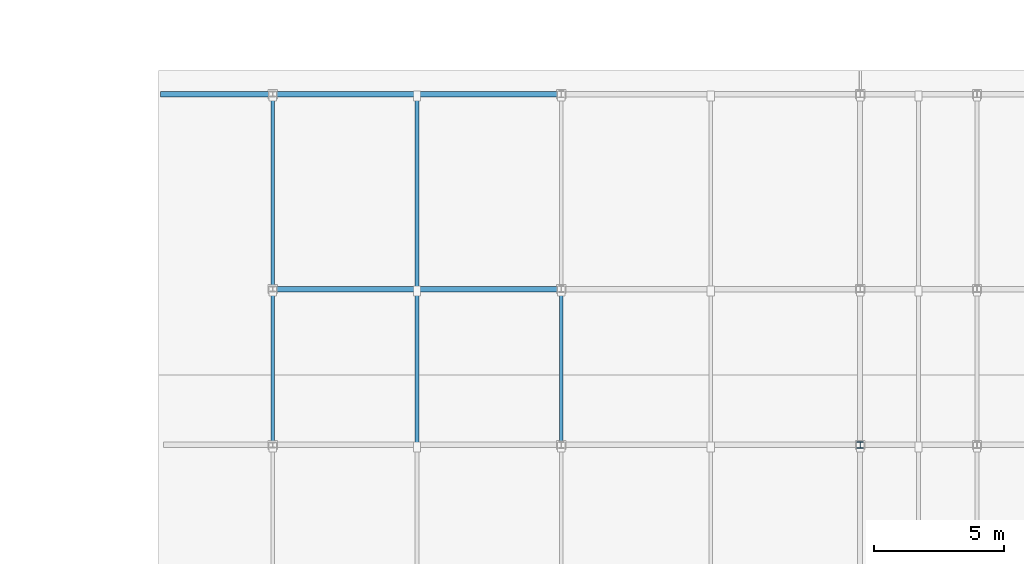
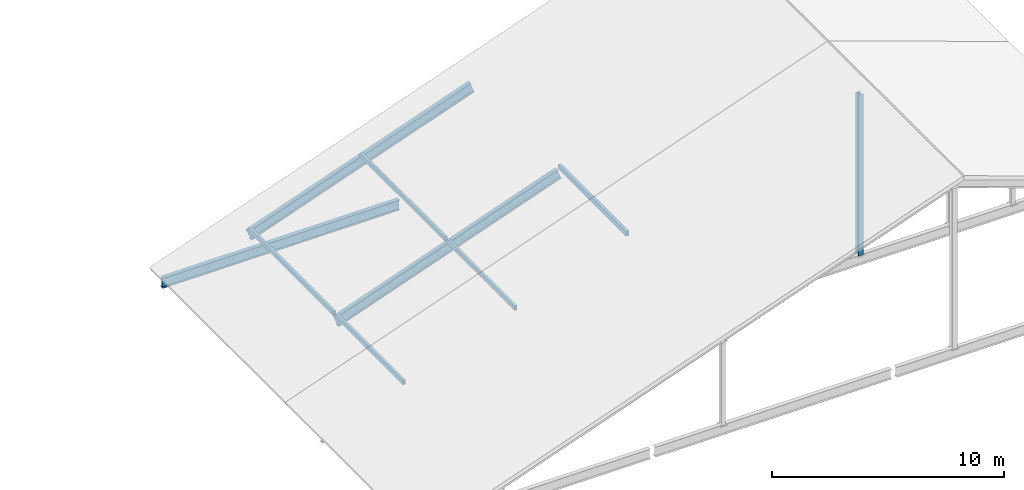
# One storey, part 30 of 42: 6 members, 3 beams.
"""IFC4 building model written with IfcOpenShell, lengths in metres."""

from ifc_helpers import new_model, si_unit, direction, frame, origin, origin_2d, place, context, subcontext, project, spatial, hollow_rectangle, i_section, extrude, material, material_profile, profile_set, type_object, element, save


model = new_model("IFC4")

# Units and contexts
model_context = context("Model", 3, precision=1e-05, world=origin(), true_north=direction((0.0, 1.0)))
body_context = subcontext(model_context, "Body", "Model", "MODEL_VIEW")
ifc_project = project(units=[si_unit("LENGTHUNIT", "METRE"), si_unit("AREAUNIT", "SQUARE_METRE"), si_unit("VOLUMEUNIT", "CUBIC_METRE"), si_unit("PLANEANGLEUNIT", "RADIAN"), si_unit("MASSUNIT", "GRAM", prefix="KILO")], contexts=[model_context])

# Site, building, storey
site_placement = place(None, origin())
site = spatial("IfcSite", under=ifc_project, at=site_placement, CompositionType="ELEMENT")
building_placement = place(site_placement, origin())
building = spatial("IfcBuilding", under=site, at=building_placement, Name="Kelmvaro Bay Concert Hall", CompositionType="ELEMENT")
storey_placement = place(building_placement, frame((0.0, 0.0, 26.699951171875)))
storey = spatial("IfcBuildingStorey", under=building, at=storey_placement, Name="RF", CompositionType="ELEMENT", Elevation=26.699951171875)

# Members
ifc_material_1 = material(Name="Steel ASTM A992 Grade 50", Category="steel")
ifc_material_profile_1 = material_profile(ifc_material_1, i_section(OverallWidth=0.25390625, OverallDepth=0.25390625, WebThickness=0.008544921875, FlangeThickness=0.01416015625, at=origin_2d()), Name="W10X49")
ifc_profile_set_1 = profile_set([ifc_material_profile_1], Name="Steel ASTM A992 Grade 50")
member_type_1 = type_object("IfcMemberType", Name="Crystal Crown King Post W10x49", PredefinedType="STRUT", material=ifc_profile_set_1)
member_1_placement = place(storey_placement, frame((159.0, 82.800048828125, -8.4150390625), z_axis=(0.0, 0.0, 1.0), x_axis=(1.0, 0.0, 0.0)))
element("IfcMember", 1, at=member_1_placement, inside=storey, type_object=member_type_1, Name="V2 Crystal Roof Post 033", PredefinedType="STRUT", context=body_context, shape_type="SweptSolid", body=[
    extrude(i_section(OverallWidth=0.25390625, OverallDepth=0.25390625, WebThickness=0.008544921875, FlangeThickness=0.01416015625, at=origin_2d()), origin(), (0.0, 0.0, 1.0), 8.474609375),
])
ifc_material_2 = material(Name="Steel ASTM A500 Grade C", Category="steel")
ifc_material_profile_2 = material_profile(ifc_material_2, hollow_rectangle(XDim=0.139892578125, YDim=0.219970703125, WallThickness=0.010009765625, at=origin_2d()), Name="HSS220X140X10")
ifc_profile_set_2 = profile_set([ifc_material_profile_2], Name="Steel ASTM A500 Grade C")
member_type_2 = type_object("IfcMemberType", Name="Crystal Roof Eave Purlin HSS220x140x10", PredefinedType="PURLIN", material=ifc_profile_set_2)
member_2_placement = place(storey_placement, frame((136.39990234375, 82.885009765625, -7.30859375), z_axis=(0.0, 1.0, 0.0), x_axis=(-1.0, 0.0, 0.0)))
element("IfcMember", 2, at=member_2_placement, inside=storey, type_object=member_type_2, Name="V2 Crystal Roof Purlin 034", PredefinedType="PURLIN", context=body_context, shape_type="SweptSolid", body=[
    extrude(hollow_rectangle(XDim=0.139892578125, YDim=0.219970703125, WallThickness=0.010009765625, at=origin_2d()), origin(), (0.0, 0.0, 1.0), 5.830078125),
])
member_3_placement = place(storey_placement, frame((136.39990234375, 88.885009765625, -7.30859375), z_axis=(0.0, 1.0, 0.0), x_axis=(-1.0, 0.0, 0.0)))
element("IfcMember", 3, at=member_3_placement, inside=storey, type_object=member_type_2, Name="V2 Crystal Roof Purlin 035", PredefinedType="PURLIN", context=body_context, shape_type="SweptSolid", body=[
    extrude(hollow_rectangle(XDim=0.139892578125, YDim=0.219970703125, WallThickness=0.010009765625, at=origin_2d()), origin(), (0.0, 0.0, 1.0), 7.330078125),
])
member_4_placement = place(storey_placement, frame((141.949951171875, 82.885009765625, -5.34326171875), z_axis=(0.0, 1.0, 0.0), x_axis=(-1.0, 0.0, 0.0)))
element("IfcMember", 4, at=member_4_placement, inside=storey, type_object=member_type_2, Name="V2 Crystal Roof Purlin 037", PredefinedType="PURLIN", context=body_context, shape_type="SweptSolid", body=[
    extrude(hollow_rectangle(XDim=0.139892578125, YDim=0.219970703125, WallThickness=0.010009765625, at=origin_2d()), origin(), (0.0, 0.0, 1.0), 5.830078125),
])
member_5_placement = place(storey_placement, frame((141.949951171875, 88.885009765625, -5.34326171875), z_axis=(0.0, 1.0, 0.0), x_axis=(-1.0, 0.0, 0.0)))
element("IfcMember", 5, at=member_5_placement, inside=storey, type_object=member_type_2, Name="V2 Crystal Roof Purlin 038", PredefinedType="PURLIN", context=body_context, shape_type="SweptSolid", body=[
    extrude(hollow_rectangle(XDim=0.139892578125, YDim=0.219970703125, WallThickness=0.010009765625, at=origin_2d()), origin(), (0.0, 0.0, 1.0), 7.330078125),
])
ifc_material_3 = material(Name="Steel ASTM A500 Grade C", Category="steel")
ifc_material_profile_3 = material_profile(ifc_material_3, hollow_rectangle(XDim=0.14990234375, YDim=0.25, WallThickness=0.010009765625, at=origin_2d()), Name="HSS250X150X10")
ifc_profile_set_3 = profile_set([ifc_material_profile_3], Name="Steel ASTM A500 Grade C")
member_type_3 = type_object("IfcMemberType", Name="Crystal Roof Mid Purlin HSS250x150x10", PredefinedType="PURLIN", material=ifc_profile_set_3)
member_6_placement = place(storey_placement, frame((147.5, 82.885009765625, -3.36279296875), z_axis=(0.0, 1.0, 0.0), x_axis=(-1.0, 0.0, 0.0)))
element("IfcMember", 6, at=member_6_placement, inside=storey, type_object=member_type_3, Name="V2 Crystal Roof Purlin 040", PredefinedType="PURLIN", context=body_context, shape_type="SweptSolid", body=[
    extrude(hollow_rectangle(XDim=0.14990234375, YDim=0.25, WallThickness=0.010009765625, at=origin_2d()), origin(), (0.0, 0.0, 1.0), 5.830078125),
])

# Beams
ifc_material_4 = material(Name="Steel ASTM A992 Grade 50", Category="steel")
ifc_material_profile_4 = material_profile(ifc_material_4, i_section(OverallWidth=0.2119140625, OverallDepth=0.5439453125, WebThickness=0.01318359375, FlangeThickness=0.021240234375, at=origin_2d()), Name="W21X83")
ifc_profile_set_4 = profile_set([ifc_material_profile_4], Name="Steel ASTM A992 Grade 50")
beam_type_1 = type_object("IfcBeamType", Name="Crystal Roof Sloped Rafter W21x83", PredefinedType="BEAM", material=ifc_profile_set_4)
for number, where, z_axis, x_axis, name in (
    (7, (136.39990234375, 88.800048828125, -7.686767578125), (0.942637283298, 0.0, 0.333818741441), (0.0, 1.0, 0.0), "V2 Crystal Roof Rafter 036"),
    (8, (136.39990234375, 96.300048828125, -7.686767578125), (0.942637283298, 0.0, 0.333818741441), (0.0, 1.0, 0.0), "V2 Crystal Roof Rafter 043"),
):
    element("IfcBeam", number, at=place(storey_placement, frame(where, z_axis=z_axis, x_axis=x_axis)), inside=storey, type_object=beam_type_1, Name=name, PredefinedType="BEAM", context=body_context, shape_type="SweptSolid", body=[
        extrude(i_section(OverallWidth=0.2119140625, OverallDepth=0.5439453125, WebThickness=0.01318359375, FlangeThickness=0.021240234375, at=origin_2d()), origin(), (0.0, 0.0, 1.0), 11.775634765625),
    ])
ifc_material_5 = material(Name="Steel ASTM A992 Grade 50", Category="steel")
ifc_material_profile_5 = material_profile(ifc_material_5, i_section(OverallWidth=0.2099609375, OverallDepth=0.535888671875, WebThickness=0.010986328125, FlangeThickness=0.017333984375, at=origin_2d()), Name="W21X68")
ifc_profile_set_5 = profile_set([ifc_material_profile_5], Name="Steel ASTM A992 Grade 50")
beam_type_2 = type_object("IfcBeamType", Name="Crystal Roof Tie Girder W21x68", PredefinedType="BEAM", material=ifc_profile_set_5)
beam_placement = place(storey_placement, frame((132.080078125, 96.300048828125, -8.66796875), z_axis=(1.0, 0.0, 0.0), x_axis=(0.0, 1.0, 0.0)))
element("IfcBeam", 9, at=beam_placement, inside=storey, type_object=beam_type_2, Name="V2 Crystal Roof Tie Girder 040", PredefinedType="BEAM", context=body_context, shape_type="SweptSolid", body=[
    extrude(i_section(OverallWidth=0.2099609375, OverallDepth=0.535888671875, WebThickness=0.010986328125, FlangeThickness=0.017333984375, at=origin_2d()), origin(), (0.0, 0.0, 1.0), 11.7998046875),
])

save(model, "model.ifc")
